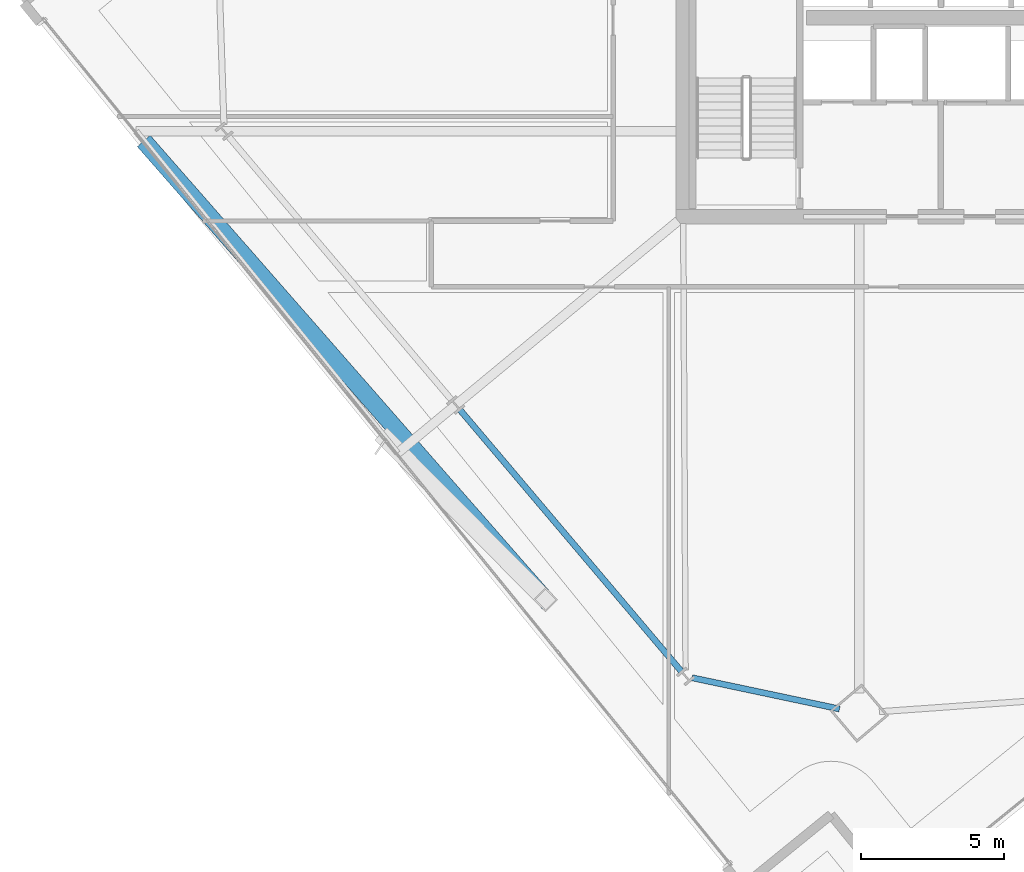
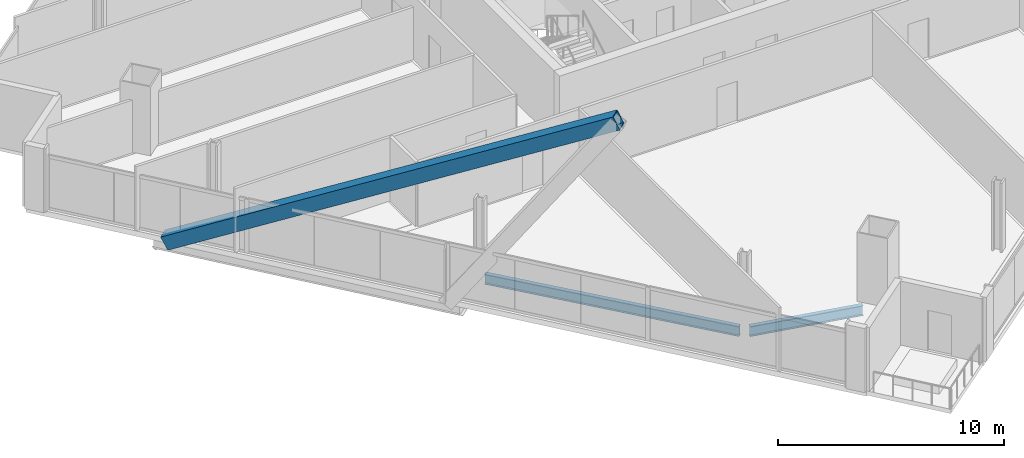
# One storey, part 3 of 36: 2 beams, 1 member.
"""IFC4 building model written with IfcOpenShell, lengths in metres."""

from ifc_helpers import new_model, si_unit, direction, frame, origin, origin_2d, place, context, subcontext, project, spatial, hollow_rectangle, i_section, extrude, material, material_profile, profile_set, type_object, element, save


model = new_model("IFC4")

# Units and contexts
model_context = context("Model", 3, precision=1e-05, world=origin(), true_north=direction((0.0, 1.0)))
body_context = subcontext(model_context, "Body", "Model", "MODEL_VIEW")
ifc_project = project(units=[si_unit("LENGTHUNIT", "METRE"), si_unit("AREAUNIT", "SQUARE_METRE"), si_unit("VOLUMEUNIT", "CUBIC_METRE"), si_unit("PLANEANGLEUNIT", "RADIAN"), si_unit("MASSUNIT", "GRAM", prefix="KILO")], contexts=[model_context])

# Site, building, storey
site_placement = place(None, origin())
site = spatial("IfcSite", under=ifc_project, at=site_placement, CompositionType="ELEMENT")
building_placement = place(site_placement, origin())
building = spatial("IfcBuilding", under=site, at=building_placement, Name="Haldenkirk Collegiate Tower", CompositionType="ELEMENT")
storey_placement = place(building_placement, frame((0.0, 0.0, 159.449951171875)))
storey = spatial("IfcBuildingStorey", under=building, at=storey_placement, Name="L39", CompositionType="ELEMENT", Elevation=159.449951171875)

# Beams
ifc_material_1 = material(Name="Steel ASTM A992 Grade 50", Category="steel")
ifc_material_profile_1 = material_profile(ifc_material_1, i_section(OverallWidth=0.2119140625, OverallDepth=0.5439453125, WebThickness=0.01318359375, FlangeThickness=0.021240234375, at=origin_2d()), Name="W21X83")
ifc_profile_set_1 = profile_set([ifc_material_profile_1], Name="Steel ASTM A992 Grade 50")
beam_type = type_object("IfcBeamType", Name="BM-SPANDREL-W21X83", PredefinedType="SPANDREL", material=ifc_profile_set_1)
beam_1_placement = place(storey_placement, frame((19.202880859375, 11.250732421875, -0.56201171875), z_axis=(0.646115074743, -0.763240008248, 0.0), x_axis=(0.763240008248, 0.646115074743, 0.0)))
element("IfcBeam", 1, at=beam_1_placement, inside=storey, type_object=beam_type, Name="L39 perimeter spandrel beam 15", PredefinedType="SPANDREL", context=body_context, shape_type="SweptSolid", body=[
    extrude(i_section(OverallWidth=0.2119140625, OverallDepth=0.5439453125, WebThickness=0.01318359375, FlangeThickness=0.021240234375, at=origin_2d()), origin(), (0.0, 0.0, 1.0), 11.966796875),
])
beam_2_placement = place(storey_placement, frame((27.306884765625, 1.89501953125, -0.56201171875), z_axis=(0.978307627668, -0.207157393416, 0.0), x_axis=(0.207157393416, 0.978307627668, 0.0)))
element("IfcBeam", 2, at=beam_2_placement, inside=storey, type_object=beam_type, Name="L39 perimeter spandrel beam 16", PredefinedType="SPANDREL", context=body_context, shape_type="SweptSolid", body=[
    extrude(i_section(OverallWidth=0.2119140625, OverallDepth=0.5439453125, WebThickness=0.01318359375, FlangeThickness=0.021240234375, at=origin_2d()), origin(), (0.0, 0.0, 1.0), 5.266845703125),
])

# Member
ifc_material_2 = material(Name="Steel ASTM A572 Grade 50", Category="steel")
ifc_material_profile_2 = material_profile(ifc_material_2, hollow_rectangle(XDim=0.60009765625, YDim=0.719970703125, WallThickness=0.044921875, at=origin_2d()), Name="BOX720X600X45")
ifc_profile_set_2 = profile_set([ifc_material_profile_2], Name="Steel ASTM A572 Grade 50")
member_type = type_object("IfcMemberType", Name="MBR-MEGABRACE-BOX720X600X45", PredefinedType="BRACE", material=ifc_profile_set_2)
member_placement = place(storey_placement, frame((8.266357421875, 20.517822265625, -0.300048828125), z_axis=(0.581642702681, -0.664004696187, 0.469882463877), x_axis=(0.752218068692, 0.658914241107, 0.0)))
element("IfcMember", 3, at=member_placement, inside=storey, type_object=member_type, Name="Perimeter Mega Brace Z3 L39-L41 WL", PredefinedType="BRACE", context=body_context, shape_type="SweptSolid", body=[
    extrude(hollow_rectangle(XDim=0.60009765625, YDim=0.719970703125, WallThickness=0.044921875, at=origin_2d()), origin(), (0.0, 0.0, 1.0), 23.942138671875),
])

save(model, "model.ifc")
